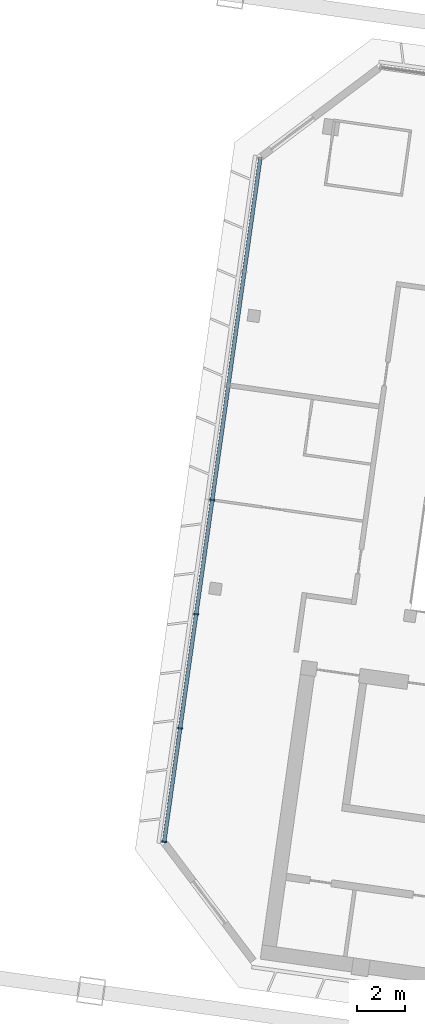
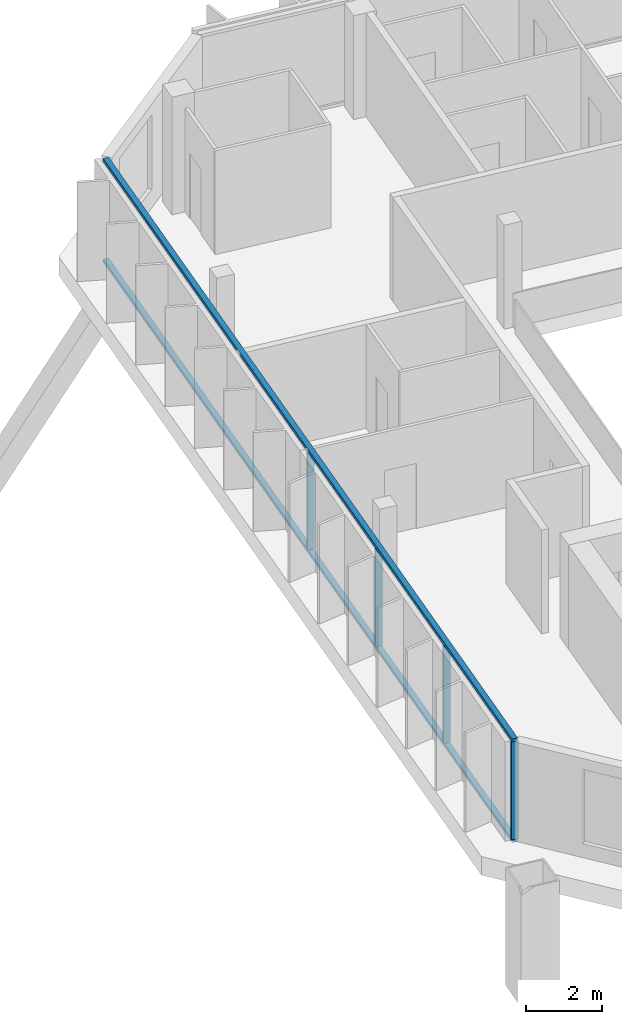
# One storey, part 2 of 28: 6 members, 1 element without a shape of its own.
"""IFC4 building model written with IfcOpenShell, lengths in metres."""

from ifc_helpers import new_model, si_unit, direction, frame, origin, origin_2d, place, context, subcontext, project, spatial, rectangle, extrude, material, material_profile, profile_set, type_object, element, aggregate, save


model = new_model("IFC4")

# Units and contexts
model_context = context("Model", 3, precision=1e-05, world=origin(), true_north=direction((0.0, 1.0)))
body_context = subcontext(model_context, "Body", "Model", "MODEL_VIEW")
ifc_project = project(units=[si_unit("LENGTHUNIT", "METRE"), si_unit("AREAUNIT", "SQUARE_METRE"), si_unit("VOLUMEUNIT", "CUBIC_METRE"), si_unit("PLANEANGLEUNIT", "RADIAN"), si_unit("MASSUNIT", "GRAM", prefix="KILO")], contexts=[model_context])

# Site, building, storey
site_placement = place(None, origin())
site = spatial("IfcSite", under=ifc_project, at=site_placement, CompositionType="ELEMENT")
building_placement = place(site_placement, origin())
building = spatial("IfcBuilding", under=site, at=building_placement, Name="Mirante Cascada Hotel Towers", CompositionType="ELEMENT")
storey_placement = place(building_placement, frame((0.0, 0.0, 243.2)))
storey = spatial("IfcBuildingStorey", under=building, at=storey_placement, Name="L58", CompositionType="ELEMENT", Elevation=243.2)

# Curtain wall, members
ifc_material_1 = material(Name="Aluminium mullion and transom frame with clear laminated glass", Category="aluminium")
curtain_wall_type = type_object("IfcCurtainWallType", Name="End ribbon curtain wall ECW2", PredefinedType="NOTDEFINED", material=ifc_material_1)
curtain_wall_placement = place(storey_placement, origin())
curtain_wall = element("IfcCurtainWall", 1, at=curtain_wall_placement, inside=storey, type_object=curtain_wall_type, Name="Outer end wall T1 L58", PredefinedType="NOTDEFINED")
ifc_material_2 = material(Name="Anodised aluminium extrusion", Category="aluminium")
ifc_material_profile_1 = material_profile(ifc_material_2, rectangle(XDim=0.2, YDim=0.065, at=origin_2d()), Name="ECW2 MULLION 65x200")
ifc_profile_set_1 = profile_set([ifc_material_profile_1], Name="Anodised aluminium extrusion")
member_type_1 = type_object("IfcMemberType", Name="ECW2 mullion 65x200", PredefinedType="MULLION", material=ifc_profile_set_1)
member_1_placement = place(storey_placement, frame((-67.5059, -11.2758, 0.1), z_axis=(0.0, 0.0, 1.0), x_axis=(-0.9902681, 0.1391731, 0.0)))
member_1 = element("IfcMember", 2, at=member_1_placement, type_object=member_type_1, Name="ECW2 mullion 1", PredefinedType="MULLION", context=body_context, shape_type="SweptSolid", body=[
    extrude(rectangle(XDim=0.2, YDim=0.065, at=origin_2d()), origin(), (0.0, 0.0, 1.0), 3.15),
])
member_2_placement = place(storey_placement, frame((-66.8407, -6.5422, 0.1), z_axis=(0.0, 0.0, 1.0), x_axis=(-0.9902681, 0.1391731, 0.0)))
member_2 = element("IfcMember", 3, at=member_2_placement, type_object=member_type_1, Name="ECW2 mullion 2", PredefinedType="MULLION", context=body_context, shape_type="SweptSolid", body=[
    extrude(rectangle(XDim=0.2, YDim=0.065, at=origin_2d()), origin(), (0.0, 0.0, 1.0), 3.15),
])
member_3_placement = place(storey_placement, frame((-66.1709, -1.7764, 0.1), z_axis=(0.0, 0.0, 1.0), x_axis=(-0.9902681, 0.1391731, 0.0)))
member_3 = element("IfcMember", 4, at=member_3_placement, type_object=member_type_1, Name="ECW2 mullion 3", PredefinedType="MULLION", context=body_context, shape_type="SweptSolid", body=[
    extrude(rectangle(XDim=0.2, YDim=0.065, at=origin_2d()), origin(), (0.0, 0.0, 1.0), 3.15),
])
member_4_placement = place(storey_placement, frame((-65.5011, 2.9894, 0.1), z_axis=(0.0, 0.0, 1.0), x_axis=(-0.9902681, 0.1391731, 0.0)))
member_4 = element("IfcMember", 5, at=member_4_placement, type_object=member_type_1, Name="ECW2 mullion 4", PredefinedType="MULLION", context=body_context, shape_type="SweptSolid", body=[
    extrude(rectangle(XDim=0.2, YDim=0.065, at=origin_2d()), origin(), (0.0, 0.0, 1.0), 3.15),
])
ifc_material_3 = material(Name="Anodised aluminium extrusion", Category="aluminium")
ifc_material_profile_2 = material_profile(ifc_material_3, rectangle(XDim=0.16, YDim=0.1, at=origin_2d()), Name="ECW2 TRANSOM 100x160")
ifc_profile_set_2 = profile_set([ifc_material_profile_2], Name="Anodised aluminium extrusion")
member_type_2 = type_object("IfcMemberType", Name="ECW2 transom 100x160", PredefinedType="USERDEFINED", material=ifc_profile_set_2)
member_5_placement = place(storey_placement, frame((-67.5105, -11.308, 0.05), z_axis=(0.1391757, 0.9902677, 0.0), x_axis=(-0.9902677, 0.1391757, 0.0)))
member_5 = element("IfcMember", 6, at=member_5_placement, type_object=member_type_2, Name="ECW2 sill transom", ObjectType="TRANSOM", PredefinedType="USERDEFINED", context=body_context, shape_type="SweptSolid", body=[
    extrude(rectangle(XDim=0.16, YDim=0.1, at=origin_2d()), origin(), (0.0, 0.0, 1.0), 28.8757),
])
member_6_placement = place(storey_placement, frame((-67.5105, -11.308, 3.3), z_axis=(0.1391757, 0.9902677, 0.0), x_axis=(-0.9902677, 0.1391757, 0.0)))
member_6 = element("IfcMember", 7, at=member_6_placement, type_object=member_type_2, Name="ECW2 head transom", ObjectType="TRANSOM", PredefinedType="USERDEFINED", context=body_context, shape_type="SweptSolid", body=[
    extrude(rectangle(XDim=0.16, YDim=0.1, at=origin_2d()), origin(), (0.0, 0.0, 1.0), 28.8757),
])
aggregate(curtain_wall, [member_5, member_6, member_1, member_2, member_3, member_4])

save(model, "model.ifc")
